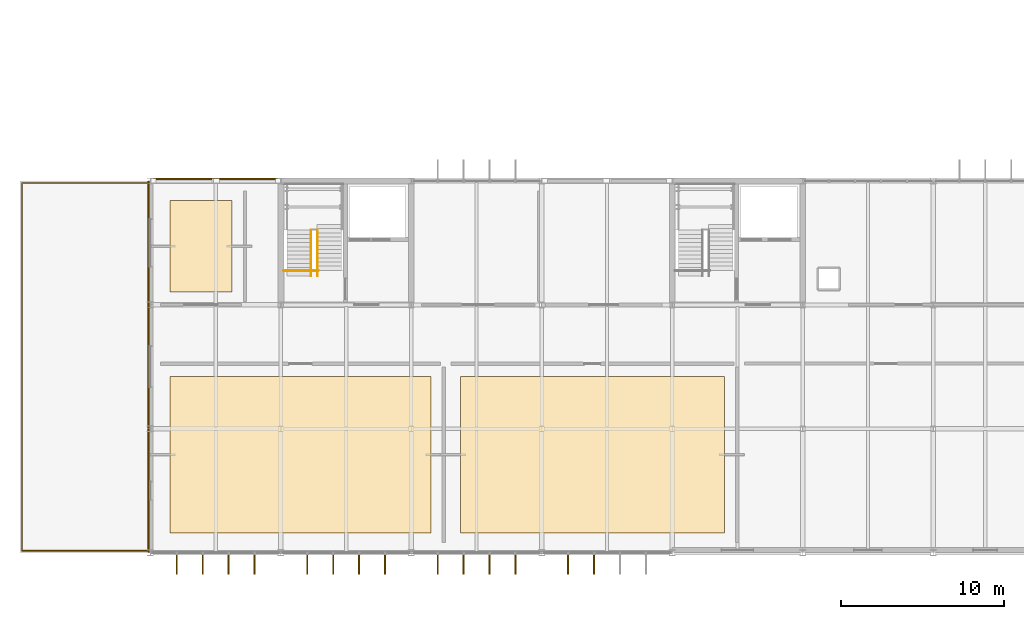
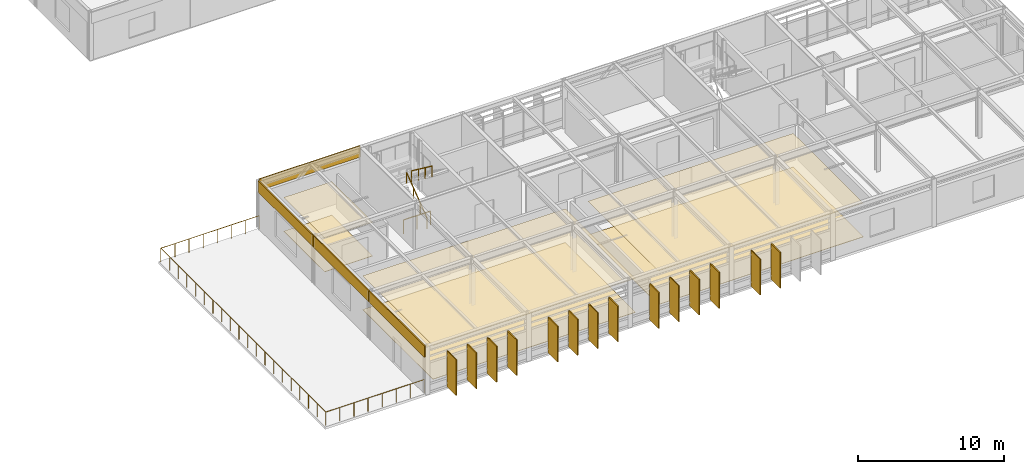
# One storey, part 39 of 45: 14 shading devices, 10 coverings, 4 railings.
"""IFC4 building model written with IfcOpenShell, lengths in metres."""

from ifc_helpers import new_model, si_unit, direction, frame, origin, origin_2d, place, context, subcontext, project, spatial, polyline, rectangle, circle, outline, extrude, material, layer, layer_set, type_object, element, save


model = new_model("IFC4")

# Units and contexts
model_context = context("Model", 3, precision=1e-05, world=origin(), true_north=direction((0.0, 1.0)))
body_context = subcontext(model_context, "Body", "Model", "MODEL_VIEW")
ifc_project = project(units=[si_unit("LENGTHUNIT", "METRE"), si_unit("AREAUNIT", "SQUARE_METRE"), si_unit("VOLUMEUNIT", "CUBIC_METRE"), si_unit("PLANEANGLEUNIT", "RADIAN"), si_unit("MASSUNIT", "GRAM", prefix="KILO")], contexts=[model_context])

# Site, building, storey
site_placement = place(None, origin())
site = spatial("IfcSite", under=ifc_project, at=site_placement, CompositionType="ELEMENT")
building_placement = place(site_placement, origin())
building = spatial("IfcBuilding", under=site, at=building_placement, Name="Zulena Civic Courthouse", CompositionType="ELEMENT")
storey_placement = place(building_placement, frame((0.0, 0.0, 29.39990234375)))
storey = spatial("IfcBuildingStorey", under=building, at=storey_placement, Name="L06", CompositionType="ELEMENT", Elevation=29.39990234375)

# Coverings
ifc_material_1 = material(Name="Perforated acoustic mineral-fibre ceiling tile", Category="concrete")
ifc_layer_1 = layer(ifc_material_1, 0.02490234375)
ifc_layer_set_1 = layer_set([ifc_layer_1], Name="Perforated acoustic mineral-fibre ceiling tile")
covering_type_1 = type_object("IfcCoveringType", Name="AcousticCeiling_25", PredefinedType="CEILING", material=ifc_layer_set_1)
covering_1_placement = place(storey_placement, frame((0.0, 0.0, 2.820068359375)))
element("IfcCovering", 1, at=covering_1_placement, inside=storey, type_object=covering_type_1, Name="ceil:L06:341", PredefinedType="CEILING", context=body_context, shape_type="SweptSolid", body=[
    extrude(outline(polyline([(13.199951171875, 1.199951171875), (29.199951171875, 1.199951171875), (29.199951171875, 10.800048828125), (13.199951171875, 10.800048828125), (13.199951171875, 1.199951171875)])), origin(), (0.0, 0.0, 1.0), 0.025146484375),
])
covering_2_placement = place(storey_placement, frame((0.0, 0.0, 2.820068359375)))
element("IfcCovering", 2, at=covering_2_placement, inside=storey, type_object=covering_type_1, Name="ceil:L06:342", PredefinedType="CEILING", context=body_context, shape_type="SweptSolid", body=[
    extrude(outline(polyline([(31.0, 1.199951171875), (47.199951171875, 1.199951171875), (47.199951171875, 10.800048828125), (31.0, 10.800048828125), (31.0, 1.199951171875)])), origin(), (0.0, 0.0, 1.0), 0.025146484375),
])
covering_3_placement = place(storey_placement, frame((0.0, 0.0, 2.820068359375)))
element("IfcCovering", 3, at=covering_3_placement, inside=storey, type_object=covering_type_1, Name="ceil:L06:344", PredefinedType="CEILING", context=body_context, shape_type="SweptSolid", body=[
    extrude(outline(polyline([(13.199951171875, 16.0), (17.0, 16.0), (17.0, 21.60009765625), (13.199951171875, 21.60009765625), (13.199951171875, 16.0)])), origin(), (0.0, 0.0, 1.0), 0.025146484375),
])

# Shading devices
ifc_material_2 = material(Name="Gold anodised architectural aluminium AA6063-T6", Category="aluminium")
shading_device_type = type_object("IfcShadingDeviceType", Name="GoldSolarFin_300", PredefinedType="USERDEFINED", material=ifc_material_2)
for number, where, z_axis, x_axis, name in (
    (4, (39.204833984375, -0.68505859375, 0.05029296875), (0.0, 0.0, 1.0), (0.0, -1.0, 0.0), "fin:V2:L06:3:3:3"),
    (5, (37.614501953125, -0.68505859375, 0.05029296875), (0.0, 0.0, 1.0), (0.0, -1.0, 0.0), "fin:V2:L06:3:3:4"),
    (6, (34.385498046875, -0.68505859375, 0.05029296875), (0.0, 0.0, 1.0), (0.0, -1.0, 0.0), "fin:V2:L06:3:4:1"),
    (7, (32.795166015625, -0.68505859375, 0.05029296875), (0.0, 0.0, 1.0), (0.0, -1.0, 0.0), "fin:V2:L06:3:4:2"),
    (8, (31.204833984375, -0.68505859375, 0.05029296875), (0.0, 0.0, 1.0), (0.0, -1.0, 0.0), "fin:V2:L06:3:4:3"),
    (9, (29.614501953125, -0.68505859375, 0.05029296875), (0.0, 0.0, 1.0), (0.0, -1.0, 0.0), "fin:V2:L06:3:4:4"),
    (10, (26.385498046875, -0.68505859375, 0.05029296875), (0.0, 0.0, 1.0), (0.0, -1.0, 0.0), "fin:V2:L06:3:5:1"),
    (11, (24.795166015625, -0.68505859375, 0.05029296875), (0.0, 0.0, 1.0), (0.0, -1.0, 0.0), "fin:V2:L06:3:5:2"),
    (12, (23.204833984375, -0.68505859375, 0.05029296875), (0.0, 0.0, 1.0), (0.0, -1.0, 0.0), "fin:V2:L06:3:5:3"),
    (13, (21.614501953125, -0.68505859375, 0.05029296875), (0.0, 0.0, 1.0), (0.0, -1.0, 0.0), "fin:V2:L06:3:5:4"),
    (14, (18.385498046875, -0.68505859375, 0.05029296875), (0.0, 0.0, 1.0), (0.0, -1.0, 0.0), "fin:V2:L06:3:6:1"),
    (15, (16.795166015625, -0.68505859375, 0.05029296875), (0.0, 0.0, 1.0), (0.0, -1.0, 0.0), "fin:V2:L06:3:6:2"),
    (16, (15.204833984375, -0.68505859375, 0.05029296875), (0.0, 0.0, 1.0), (0.0, -1.0, 0.0), "fin:V2:L06:3:6:3"),
    (17, (13.614501953125, -0.68505859375, 0.05029296875), (0.0, 0.0, 1.0), (0.0, -1.0, 0.0), "fin:V2:L06:3:6:4"),
):
    element("IfcShadingDevice", number, at=place(storey_placement, frame(where, z_axis=z_axis, x_axis=x_axis)), inside=storey, type_object=shading_device_type, Name=name, ObjectType="FIN", PredefinedType="USERDEFINED", context=body_context, shape_type="SweptSolid", body=[
        extrude(rectangle(XDim=1.25, YDim=0.080078125, at=origin_2d()), origin(), (0.0, 0.0, 1.0), 2.989990234375),
    ])

# Railing
ifc_material_3 = material(Name="Brushed architectural steel ASTM A36", Category="steel")
railing_type_1 = type_object("IfcRailingType", Name="InteriorGuardrail_1150", PredefinedType="GUARDRAIL", material=ifc_material_3)
railing_1_placement = place(storey_placement, frame((20.179931640625, 17.300048828125, 0.0)))
element("IfcRailing", 18, at=railing_1_placement, inside=storey, type_object=railing_type_1, Name="gr:wells:K2A:L06", PredefinedType="GUARDRAIL", context=body_context, shape_type="SweptSolid", body=[
    extrude(circle(Radius=0.02392578125, at=origin_2d()), frame((0.00390625, 0.0, 1.1259765625), z_axis=(1.0, 0.0, 0.0), x_axis=(0.0, 1.0, 0.0)), (0.0, 0.0, 1.0), 2.112060546875),
    extrude(circle(Radius=0.02099609375, at=origin_2d()), origin(), (0.0, 0.0, 1.0), 1.097900390625),
    extrude(circle(Radius=0.02099609375, at=origin_2d()), frame((1.06005859375, 0.0, 0.0)), (0.0, 0.0, 1.0), 1.097900390625),
    extrude(circle(Radius=0.02099609375, at=origin_2d()), frame((2.1201171875, 0.0, 0.0)), (0.0, 0.0, 1.0), 1.097900390625),
])

# Coverings
ifc_material_4 = material(Name="White architectural precast concrete C40/50", Category="concrete")
ifc_layer_2 = layer(ifc_material_4, 0.0849609375)
ifc_layer_set_2 = layer_set([ifc_layer_2], Name="White architectural precast concrete C40/50")
covering_type_2 = type_object("IfcCoveringType", Name="PrecastSpandrelCladding_85", PredefinedType="CLADDING", material=ifc_layer_set_2)
for number, where, z_axis, x_axis, name in (
    (19, (11.8798828125, 3.800048828125, 3.06005859375), (0.0, 0.0, 1.0), (0.0, 1.0, 0.0), "clad:sp:V2:L06:0:0"),
    (20, (11.8798828125, 11.39990234375, 3.06005859375), (0.0, 0.0, 1.0), (0.0, 1.0, 0.0), "clad:sp:V2:L06:0:1"),
    (21, (11.8798828125, 19.0, 3.06005859375), (0.0, 0.0, 1.0), (0.0, 1.0, 0.0), "clad:sp:V2:L06:0:2"),
):
    element("IfcCovering", number, at=place(storey_placement, frame(where, z_axis=z_axis, x_axis=x_axis)), inside=storey, type_object=covering_type_2, Name=name, PredefinedType="CLADDING", context=body_context, shape_type="SweptSolid", body=[
        extrude(rectangle(XDim=7.56005859375, YDim=0.0849609375, at=origin_2d()), origin(), (0.0, 0.0, 1.0), 0.93994140625),
    ])
covering_4_placement = place(storey_placement, frame((16.0, 22.919921875, 3.06005859375), z_axis=(0.0, 0.0, 1.0), x_axis=(1.0, 0.0, 0.0)))
element("IfcCovering", 22, at=covering_4_placement, inside=storey, type_object=covering_type_2, Name="clad:sp:V2:L06:1:0", PredefinedType="CLADDING", context=body_context, shape_type="SweptSolid", body=[
    extrude(rectangle(XDim=7.9599609375, YDim=0.0849609375, at=origin_2d()), origin(), (0.0, 0.0, 1.0), 0.93994140625),
])

# Railings
railing_type_2 = type_object("IfcRailingType", Name="StairHandrail_920", PredefinedType="HANDRAIL", material=ifc_material_3)
railing_2_placement = place(storey_placement, frame((21.85009765625, 16.97998046875, 0.0)))
element("IfcRailing", 23, at=railing_2_placement, inside=storey, type_object=railing_type_2, Name="hr:K2A:L06:1", PredefinedType="HANDRAIL", context=body_context, shape_type="SweptSolid", body=[
    extrude(circle(Radius=0.02392578125, at=origin_2d()), frame((0.0, 0.003173828125, 0.898193359375), z_axis=(0.0, 0.800467996722, 0.599375496849), x_axis=(-1.0, 0.0, 0.0)), (0.0, 0.0, 1.0), 3.495849609375),
    extrude(circle(Radius=0.02099609375, at=origin_2d()), origin(), (0.0, 0.0, 1.0), 0.867919921875),
    extrude(circle(Radius=0.02099609375, at=origin_2d()), frame((0.0, 0.934814453125, 0.699951171875)), (0.0, 0.0, 1.0), 0.867919921875),
    extrude(circle(Radius=0.02099609375, at=origin_2d()), frame((0.0, 1.869873046875, 1.400146484375)), (0.0, 0.0, 1.0), 0.867919921875),
    extrude(circle(Radius=0.02099609375, at=origin_2d()), frame((0.0, 2.8046875, 2.10009765625)), (0.0, 0.0, 1.0), 0.867919921875),
])
railing_3_placement = place(storey_placement, frame((22.25, 19.78466796875, 2.10009765625)))
element("IfcRailing", 24, at=railing_3_placement, inside=storey, type_object=railing_type_2, Name="hr:K2A:L06:2", PredefinedType="HANDRAIL", context=body_context, shape_type="SweptSolid", body=[
    extrude(circle(Radius=0.02392578125, at=origin_2d()), frame((0.0, -0.003173828125, 0.898193359375), z_axis=(0.0, -0.800467996722, 0.599375496849), x_axis=(1.0, 0.0, 0.0)), (0.0, 0.0, 1.0), 3.495849609375),
    extrude(circle(Radius=0.02099609375, at=origin_2d()), origin(), (0.0, 0.0, 1.0), 0.867919921875),
    extrude(circle(Radius=0.02099609375, at=origin_2d()), frame((0.0, -0.934814453125, 0.699951171875)), (0.0, 0.0, 1.0), 0.867919921875),
    extrude(circle(Radius=0.02099609375, at=origin_2d()), frame((0.0, -1.869873046875, 1.400146484375)), (0.0, 0.0, 1.0), 0.867919921875),
    extrude(circle(Radius=0.02099609375, at=origin_2d()), frame((0.0, -2.8046875, 2.10009765625)), (0.0, 0.0, 1.0), 0.867919921875),
])
ifc_material_5 = material(Name="Bronze-painted architectural steel ASTM A36", Category="steel")
railing_type_3 = type_object("IfcRailingType", Name="TerraceBalustrade_1150", PredefinedType="BALUSTRADE", material=ifc_material_5)
railing_4_placement = place(storey_placement, frame((11.89990234375, 0.1201171875, 0.0)))
element("IfcRailing", 25, at=railing_4_placement, inside=storey, type_object=railing_type_3, Name="guard:terrace:TR-V2-L06:0", PredefinedType="BALUSTRADE", context=body_context, shape_type="SweptSolid", body=[
    extrude(circle(Radius=0.02392578125, at=origin_2d()), frame((-0.00390625, 0.0, 1.1259765625), z_axis=(-1.0, 0.0, 0.0), x_axis=(0.0, -1.0, 0.0)), (0.0, 0.0, 1.0), 7.771728515625),
    extrude(circle(Radius=0.02392578125, at=origin_2d()), frame((-7.77978515625, 0.00390625, 1.1259765625), z_axis=(0.0, 1.0, 0.0), x_axis=(-1.0, 0.0, 0.0)), (0.0, 0.0, 1.0), 22.5517578125),
    extrude(circle(Radius=0.02392578125, at=origin_2d()), frame((-7.77587890625, 22.559814453125, 1.1259765625), z_axis=(1.0, 0.0, 0.0), x_axis=(0.0, 1.0, 0.0)), (0.0, 0.0, 1.0), 7.771728515625),
    extrude(circle(Radius=0.02099609375, at=origin_2d()), origin(), (0.0, 0.0, 1.0), 1.097900390625),
    extrude(circle(Radius=0.02099609375, at=origin_2d()), frame((-1.111328125, 0.0, 0.0)), (0.0, 0.0, 1.0), 1.097900390625),
    extrude(circle(Radius=0.02099609375, at=origin_2d()), frame((-2.222900390625, 0.0, 0.0)), (0.0, 0.0, 1.0), 1.097900390625),
    extrude(circle(Radius=0.02099609375, at=origin_2d()), frame((-3.334228515625, 0.0, 0.0)), (0.0, 0.0, 1.0), 1.097900390625),
    extrude(circle(Radius=0.02099609375, at=origin_2d()), frame((-4.445556640625, 0.0, 0.0)), (0.0, 0.0, 1.0), 1.097900390625),
    extrude(circle(Radius=0.02099609375, at=origin_2d()), frame((-5.556884765625, 0.0, 0.0)), (0.0, 0.0, 1.0), 1.097900390625),
    extrude(circle(Radius=0.02099609375, at=origin_2d()), frame((-6.66845703125, 0.0, 0.0)), (0.0, 0.0, 1.0), 1.097900390625),
    extrude(circle(Radius=0.02099609375, at=origin_2d()), frame((-7.77978515625, 0.0, 0.0)), (0.0, 0.0, 1.0), 1.097900390625),
    extrude(circle(Radius=0.02099609375, at=origin_2d()), frame((-7.77978515625, 1.187255859375, 0.0)), (0.0, 0.0, 1.0), 1.097900390625),
    extrude(circle(Radius=0.02099609375, at=origin_2d()), frame((-7.77978515625, 2.374755859375, 0.0)), (0.0, 0.0, 1.0), 1.097900390625),
    extrude(circle(Radius=0.02099609375, at=origin_2d()), frame((-7.77978515625, 3.56201171875, 0.0)), (0.0, 0.0, 1.0), 1.097900390625),
    extrude(circle(Radius=0.02099609375, at=origin_2d()), frame((-7.77978515625, 4.74951171875, 0.0)), (0.0, 0.0, 1.0), 1.097900390625),
    extrude(circle(Radius=0.02099609375, at=origin_2d()), frame((-7.77978515625, 5.936767578125, 0.0)), (0.0, 0.0, 1.0), 1.097900390625),
    extrude(circle(Radius=0.02099609375, at=origin_2d()), frame((-7.77978515625, 7.124267578125, 0.0)), (0.0, 0.0, 1.0), 1.097900390625),
    extrude(circle(Radius=0.02099609375, at=origin_2d()), frame((-7.77978515625, 8.3115234375, 0.0)), (0.0, 0.0, 1.0), 1.097900390625),
    extrude(circle(Radius=0.02099609375, at=origin_2d()), frame((-7.77978515625, 9.498779296875, 0.0)), (0.0, 0.0, 1.0), 1.097900390625),
    extrude(circle(Radius=0.02099609375, at=origin_2d()), frame((-7.77978515625, 10.686279296875, 0.0)), (0.0, 0.0, 1.0), 1.097900390625),
    extrude(circle(Radius=0.02099609375, at=origin_2d()), frame((-7.77978515625, 11.87353515625, 0.0)), (0.0, 0.0, 1.0), 1.097900390625),
    extrude(circle(Radius=0.02099609375, at=origin_2d()), frame((-7.77978515625, 13.06103515625, 0.0)), (0.0, 0.0, 1.0), 1.097900390625),
    extrude(circle(Radius=0.02099609375, at=origin_2d()), frame((-7.77978515625, 14.248291015625, 0.0)), (0.0, 0.0, 1.0), 1.097900390625),
    extrude(circle(Radius=0.02099609375, at=origin_2d()), frame((-7.77978515625, 15.435546875, 0.0)), (0.0, 0.0, 1.0), 1.097900390625),
    extrude(circle(Radius=0.02099609375, at=origin_2d()), frame((-7.77978515625, 16.623046875, 0.0)), (0.0, 0.0, 1.0), 1.097900390625),
    extrude(circle(Radius=0.02099609375, at=origin_2d()), frame((-7.77978515625, 17.810302734375, 0.0)), (0.0, 0.0, 1.0), 1.097900390625),
    extrude(circle(Radius=0.02099609375, at=origin_2d()), frame((-7.77978515625, 18.997802734375, 0.0)), (0.0, 0.0, 1.0), 1.097900390625),
    extrude(circle(Radius=0.02099609375, at=origin_2d()), frame((-7.77978515625, 20.18505859375, 0.0)), (0.0, 0.0, 1.0), 1.097900390625),
    extrude(circle(Radius=0.02099609375, at=origin_2d()), frame((-7.77978515625, 21.37255859375, 0.0)), (0.0, 0.0, 1.0), 1.097900390625),
    extrude(circle(Radius=0.02099609375, at=origin_2d()), frame((-7.77978515625, 22.559814453125, 0.0)), (0.0, 0.0, 1.0), 1.097900390625),
    extrude(circle(Radius=0.02099609375, at=origin_2d()), frame((-6.66845703125, 22.559814453125, 0.0)), (0.0, 0.0, 1.0), 1.097900390625),
    extrude(circle(Radius=0.02099609375, at=origin_2d()), frame((-5.556884765625, 22.559814453125, 0.0)), (0.0, 0.0, 1.0), 1.097900390625),
    extrude(circle(Radius=0.02099609375, at=origin_2d()), frame((-4.445556640625, 22.559814453125, 0.0)), (0.0, 0.0, 1.0), 1.097900390625),
    extrude(circle(Radius=0.02099609375, at=origin_2d()), frame((-3.334228515625, 22.559814453125, 0.0)), (0.0, 0.0, 1.0), 1.097900390625),
    extrude(circle(Radius=0.02099609375, at=origin_2d()), frame((-2.222900390625, 22.559814453125, 0.0)), (0.0, 0.0, 1.0), 1.097900390625),
    extrude(circle(Radius=0.02099609375, at=origin_2d()), frame((-1.111328125, 22.559814453125, 0.0)), (0.0, 0.0, 1.0), 1.097900390625),
    extrude(circle(Radius=0.02099609375, at=origin_2d()), frame((0.0, 22.559814453125, 0.0)), (0.0, 0.0, 1.0), 1.097900390625),
])

# Coverings
ifc_material_6 = material(Name="Honed travertine stone flooring", Category="masonry")
ifc_layer_3 = layer(ifc_material_6, 0.030029296875)
ifc_layer_set_3 = layer_set([ifc_layer_3], Name="Honed travertine stone flooring")
covering_type_3 = type_object("IfcCoveringType", Name="TravertineFlooring_30", PredefinedType="FLOORING", material=ifc_layer_set_3)
covering_5_placement = place(storey_placement, origin())
element("IfcCovering", 26, at=covering_5_placement, inside=storey, type_object=covering_type_3, Name="floor:L06:341", PredefinedType="FLOORING", context=body_context, shape_type="SweptSolid", body=[
    extrude(outline(polyline([(13.199951171875, 1.199951171875), (29.199951171875, 1.199951171875), (29.199951171875, 10.800048828125), (13.199951171875, 10.800048828125), (13.199951171875, 1.199951171875)])), origin(), (0.0, 0.0, 1.0), 0.030029296875),
])
covering_6_placement = place(storey_placement, origin())
element("IfcCovering", 27, at=covering_6_placement, inside=storey, type_object=covering_type_3, Name="floor:L06:342", PredefinedType="FLOORING", context=body_context, shape_type="SweptSolid", body=[
    extrude(outline(polyline([(31.0, 1.199951171875), (47.199951171875, 1.199951171875), (47.199951171875, 10.800048828125), (31.0, 10.800048828125), (31.0, 1.199951171875)])), origin(), (0.0, 0.0, 1.0), 0.030029296875),
])
covering_7_placement = place(storey_placement, origin())
element("IfcCovering", 28, at=covering_7_placement, inside=storey, type_object=covering_type_3, Name="floor:L06:344", PredefinedType="FLOORING", context=body_context, shape_type="SweptSolid", body=[
    extrude(outline(polyline([(13.199951171875, 16.0), (17.0, 16.0), (17.0, 21.60009765625), (13.199951171875, 21.60009765625), (13.199951171875, 16.0)])), origin(), (0.0, 0.0, 1.0), 0.030029296875),
])

save(model, "model.ifc")
